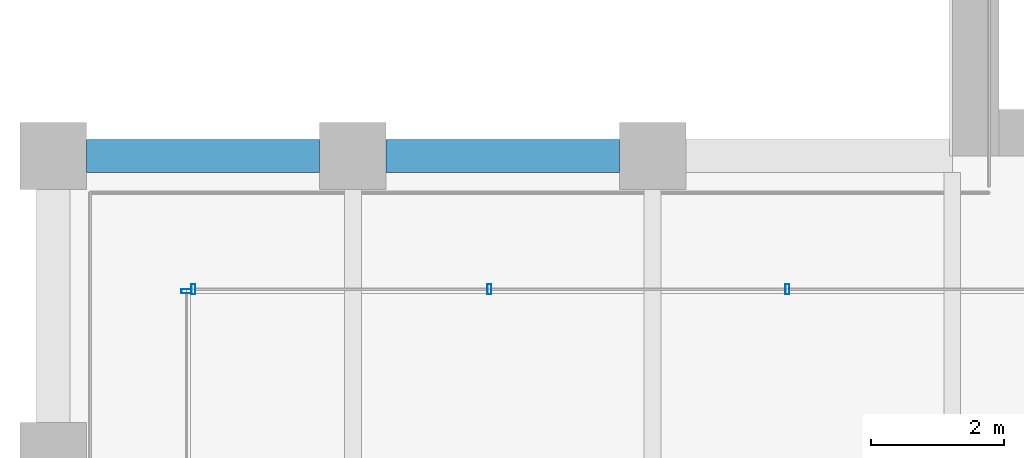
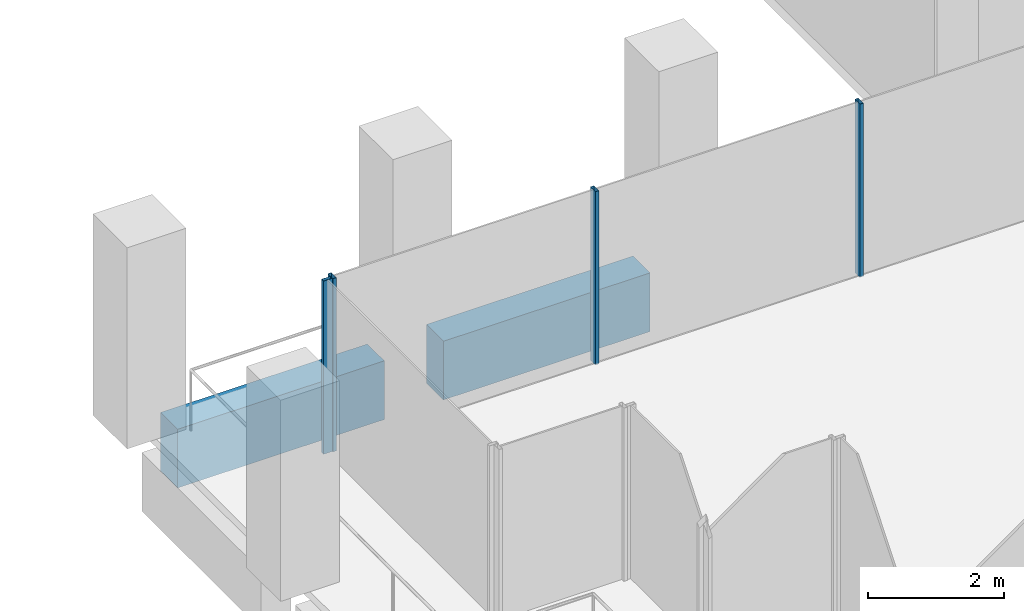
# One storey, part 5 of 47: 4 members, 2 beams, 2 elements without a shape of their own.
"""IFC4 building model written with IfcOpenShell, lengths in metres."""

import ifcopenshell
import ifcopenshell.guid

model = None  # the IFC model being written
_history = None  # IfcOwnerHistory: only IFC2X3 demands one
_inside = {}  # id of a spatial element -> (the spatial element, [elements in it])
_under = {}  # id of a project, library or spatial element -> (it, [spatial elements below it])
_declared = {}  # id of a project -> (the project, [libraries it declares])
_typed = {}  # id of a type object -> (the type object, [elements of that type])
_made_of = {}  # id of a material, layer set ... -> (it, [elements and type objects made of it])


def new_model(schema):
    """Start an empty IFC model of exactly this schema.

    Asked for "IFC4X3", IfcOpenShell would pick the latest addendum, in which some entities
    have other attributes; the version numbers below select the first issue.
    IFC2X3 requires an IfcOwnerHistory on every rooted entity: one is made here for all.
    """
    global model, _history
    if schema == "IFC4X3":
        model = ifcopenshell.file(schema_version=(4, 3, 0, 0))
    else:
        model = ifcopenshell.file(schema=schema)
    _inside.clear()
    _under.clear()
    _declared.clear()
    _typed.clear()
    _made_of.clear()
    _history = None
    if model.schema == "IFC2X3":
        org = make("IfcOrganization", Name="unknown")
        user = make(
            "IfcPersonAndOrganization",
            ThePerson=make("IfcPerson", FamilyName="unknown"),
            TheOrganization=org,
        )
        app = make(
            "IfcApplication",
            ApplicationDeveloper=org,
            Version="unknown",
            ApplicationFullName="unknown",
            ApplicationIdentifier="unknown",
        )
        _history = make(
            "IfcOwnerHistory",
            OwningUser=user,
            OwningApplication=app,
            ChangeAction="ADDED",
            CreationDate=0,
        )
    return model


def make(cls, **values):
    """One entity of the class cls with the attributes given. An attribute that is None is left unset."""
    return model.create_entity(
        cls, **{name: value for name, value in values.items() if value is not None}
    )


def rooted(cls, **values):
    """An entity with a GlobalId (a new one), such as an element, a storey or a relation."""
    return make(cls, GlobalId=ifcopenshell.guid.new(), OwnerHistory=_history, **values)


def si_unit(unit_type, name, prefix=None):
    """IfcSIUnit, for example si_unit("LENGTHUNIT", "METRE", prefix="MILLI")."""
    return make("IfcSIUnit", UnitType=unit_type, Prefix=prefix, Name=name)


def assignment(units):
    """IfcUnitAssignment: the units of a project."""
    return None if units is None else make("IfcUnitAssignment", Units=units)


def point(xyz):
    """IfcCartesianPoint."""
    return None if xyz is None else make("IfcCartesianPoint", Coordinates=xyz)


def direction(xyz):
    """IfcDirection."""
    return None if xyz is None else make("IfcDirection", DirectionRatios=xyz)


def frame(location, z_axis=None, x_axis=None):
    """IfcAxis2Placement3D, a coordinate frame: its origin and axes. An axis left out is left unset."""
    return make(
        "IfcAxis2Placement3D",
        Location=point(location),
        Axis=direction(z_axis),
        RefDirection=direction(x_axis),
    )


def frame_2d(location, x_axis=None):
    """IfcAxis2Placement2D, a coordinate frame in the plane: its origin and x axis."""
    return make(
        "IfcAxis2Placement2D", Location=point(location), RefDirection=direction(x_axis)
    )


def origin():
    """The frame at (0, 0, 0) with its axes left unset."""
    return frame((0.0, 0.0, 0.0))


def origin_2d():
    """The frame at (0, 0) in the plane with its x axis left unset."""
    return frame_2d((0.0, 0.0))


def place(relative_to, where):
    """IfcLocalPlacement: puts the frame where relative to a parent placement (None: the world)."""
    return make(
        "IfcLocalPlacement", PlacementRelTo=relative_to, RelativePlacement=where
    )


def context(
    kind, dimensions, precision=None, world=None, true_north=None, identifier=None
):
    """IfcGeometricRepresentationContext, for example the 3D "Model" context."""
    return make(
        "IfcGeometricRepresentationContext",
        ContextIdentifier=identifier,
        ContextType=kind,
        CoordinateSpaceDimension=dimensions,
        Precision=precision,
        WorldCoordinateSystem=world,
        TrueNorth=true_north,
    )


def subcontext(parent, identifier, kind, view, scale=None):
    """IfcGeometricRepresentationSubContext, for example "Body" below "Model"."""
    return make(
        "IfcGeometricRepresentationSubContext",
        ContextIdentifier=identifier,
        ContextType=kind,
        ParentContext=parent,
        TargetScale=scale,
        TargetView=view,
    )


def project(units=None, contexts=None):
    """IfcProject with its units and contexts."""
    return rooted(
        "IfcProject",
        Name="project",
        RepresentationContexts=contexts,
        UnitsInContext=assignment(units),
    )


def spatial(cls, under=None, at=None, **own):
    """A site, building, storey or space (cls), placed at a placement, below another one or the project."""
    s = rooted(cls, ObjectPlacement=at, **own)
    if under is not None:
        _under.setdefault(under.id(), (under, []))[1].append(s)
    return s


def profile(cls, at=None, kind="AREA", **sizes):
    """A parametric profile (cls). Its sizes go by their IFC names, for example OverallWidth=200.0."""
    return make(cls, ProfileType=kind, Position=at, **sizes)


def rectangle(**sizes):
    """IfcRectangleProfileDef."""
    return profile("IfcRectangleProfileDef", **sizes)


def hollow_rectangle(**sizes):
    """IfcRectangleHollowProfileDef."""
    return profile("IfcRectangleHollowProfileDef", **sizes)


def extrude(swept, where, along, depth):
    """IfcExtrudedAreaSolid: the profile swept, set in the frame where, extruded along a direction by depth."""
    return make(
        "IfcExtrudedAreaSolid",
        SweptArea=swept,
        Position=where,
        ExtrudedDirection=direction(along),
        Depth=depth,
    )


def shape(context_of_items, identifier, shape_type, items):
    """IfcShapeRepresentation: the items that make up one representation, for example the "Body"."""
    return make(
        "IfcShapeRepresentation",
        ContextOfItems=context_of_items,
        RepresentationIdentifier=identifier,
        RepresentationType=shape_type,
        Items=items,
    )


def material(Name=None, Category=None):
    """IfcMaterial."""
    return make("IfcMaterial", Name=Name, Category=Category)


def material_profile(
    of_material, cross_section, Name=None, Category=None, Priority=None
):
    """IfcMaterialProfile: a cross section and its material."""
    return make(
        "IfcMaterialProfile",
        Name=Name,
        Material=of_material,
        Profile=cross_section,
        Priority=Priority,
        Category=Category,
    )


def profile_set(profiles, Name=None, composite=None):
    """IfcMaterialProfileSet."""
    return make(
        "IfcMaterialProfileSet",
        Name=Name,
        MaterialProfiles=profiles,
        CompositeProfile=composite,
    )


def made_of(thing, what):
    """Note that an element or type object is made of a material, layer set ...; save() writes the relation."""
    if what is not None:
        _made_of.setdefault(what.id(), (what, []))[1].append(thing)
    return thing


def type_object(cls, material=None, **own):
    """A type object (cls), such as IfcWallType, which elements share."""
    return made_of(rooted(cls, **own), material)


def element(
    cls,
    number,
    at=None,
    inside=None,
    cuts=None,
    type_object=None,
    material=None,
    context=None,
    identifier="Body",
    shape_type=None,
    held_by="IfcProductDefinitionShape",
    body=None,
    shapes=None,
    **own,
):
    """One element of the class cls, such as IfcWall. Its Tag is "e" and its number.

    at: its placement. inside: the storey or other place that contains it. cuts: it is an
    opening in that element (IfcRelVoidsElement). A single representation is given by context,
    identifier, shape_type and body (its items); several are given by shapes. held_by: the class
    of the entity that holds the representations. save() writes the other relations.
    """
    e = rooted(cls, Tag="e%d" % number, ObjectPlacement=at, **own)
    if body is not None:
        shapes = [shape(context, identifier, shape_type, body)]
    if shapes is not None:
        e.Representation = make(held_by, Representations=shapes)
    if inside is not None:
        _inside.setdefault(inside.id(), (inside, []))[1].append(e)
    if cuts is not None:
        rooted(
            "IfcRelVoidsElement", RelatingBuildingElement=cuts, RelatedOpeningElement=e
        )
    if type_object is not None:
        _typed.setdefault(type_object.id(), (type_object, []))[1].append(e)
    return made_of(e, material)


def aggregate(whole, parts):
    """IfcRelAggregates: a whole, such as a stair, and the parts it consists of."""
    return rooted("IfcRelAggregates", RelatingObject=whole, RelatedObjects=parts)


def save(model, path):
    """Write the relations noted so far, then the file.

    IfcRelAggregates (storeys below a building ...), IfcRelContainedInSpatialStructure (elements
    in a storey), IfcRelDefinesByType, IfcRelAssociatesMaterial and IfcRelDeclares: one each for
    every whole, place, type object, material and project.
    """
    for whole, parts in _under.values():
        aggregate(whole, parts)
    for where, things in _inside.values():
        rooted(
            "IfcRelContainedInSpatialStructure",
            RelatedElements=things,
            RelatingStructure=where,
        )
    for kind, things in _typed.values():
        rooted("IfcRelDefinesByType", RelatedObjects=things, RelatingType=kind)
    for what, things in _made_of.values():
        rooted("IfcRelAssociatesMaterial", RelatedObjects=things, RelatingMaterial=what)
    for by, libraries in _declared.values():
        rooted("IfcRelDeclares", RelatingContext=by, RelatedDefinitions=libraries)
    model.write(path)


model = new_model("IFC4")

# Units and contexts
model_context = context("Model", 3, precision=1e-05, world=origin(), true_north=direction((0.0, 1.0)))
body_context = subcontext(model_context, "Body", "Model", "MODEL_VIEW")
ifc_project = project(units=[si_unit("LENGTHUNIT", "METRE"), si_unit("AREAUNIT", "SQUARE_METRE"), si_unit("VOLUMEUNIT", "CUBIC_METRE"), si_unit("PLANEANGLEUNIT", "RADIAN"), si_unit("MASSUNIT", "GRAM", prefix="KILO")], contexts=[model_context])

# Site, building, storey
site_placement = place(None, origin())
site = spatial("IfcSite", under=ifc_project, at=site_placement, CompositionType="ELEMENT")
building_placement = place(site_placement, origin())
building = spatial("IfcBuilding", under=site, at=building_placement, Name="Altepetl Exchange Towers", CompositionType="ELEMENT")
storey_placement = place(building_placement, frame((0.0, 0.0, 95.60009765625)))
storey = spatial("IfcBuildingStorey", under=building, at=storey_placement, Name="L23", CompositionType="ELEMENT", Elevation=95.60009765625)

# Curtain wall, members
ifc_material_1 = material(Name="Aluminium 6063-T6 glazing", Category="aluminium")
curtain_wall_type = type_object("IfcCurtainWallType", Name="Loggia glazing system", PredefinedType="NOTDEFINED", material=ifc_material_1)
curtain_wall_1_placement = place(storey_placement, origin())
curtain_wall_1 = element("IfcCurtainWall", 1, at=curtain_wall_1_placement, inside=storey, type_object=curtain_wall_type, Name="CW1 run", PredefinedType="NOTDEFINED")
ifc_material_2 = material(Name="Aluminium 6063-T6", Category="aluminium")
ifc_material_profile_1 = material_profile(ifc_material_2, hollow_rectangle(XDim=0.06005859375, YDim=0.14990234375, WallThickness=0.0029296875, at=origin_2d()), Name="Mullion 60x150 aluminium")
ifc_profile_set_1 = profile_set([ifc_material_profile_1], Name="Aluminium 6063-T6")
member_type = type_object("IfcMemberType", Name="Mullion 60x150 aluminium", PredefinedType="MULLION", material=ifc_profile_set_1)
member_1_placement = place(storey_placement, frame((38.02490234375, 38.5, 0.0), z_axis=(0.0, 0.0, 1.0), x_axis=(-1.0, 0.0, 0.0)))
member_1 = element("IfcMember", 2, at=member_1_placement, type_object=member_type, Name="MU1 mullion", PredefinedType="MULLION", context=body_context, shape_type="SweptSolid", body=[
    extrude(hollow_rectangle(XDim=0.06005859375, YDim=0.14990234375, WallThickness=0.0029296875, at=origin_2d()), origin(), (0.0, 0.0, 1.0), 3.099853515625),
])
member_2_placement = place(storey_placement, frame((33.550048828125, 38.5, 0.0), z_axis=(0.0, 0.0, 1.0), x_axis=(-1.0, 0.0, 0.0)))
member_2 = element("IfcMember", 3, at=member_2_placement, type_object=member_type, Name="MU1 mullion", PredefinedType="MULLION", context=body_context, shape_type="SweptSolid", body=[
    extrude(hollow_rectangle(XDim=0.06005859375, YDim=0.14990234375, WallThickness=0.0029296875, at=origin_2d()), origin(), (0.0, 0.0, 1.0), 3.099853515625),
])
member_3_placement = place(storey_placement, frame((29.10498046875, 38.5, 0.0), z_axis=(0.0, 0.0, 1.0), x_axis=(-1.0, 0.0, 0.0)))
member_3 = element("IfcMember", 4, at=member_3_placement, type_object=member_type, Name="MU1 mullion", PredefinedType="MULLION", context=body_context, shape_type="SweptSolid", body=[
    extrude(hollow_rectangle(XDim=0.06005859375, YDim=0.14990234375, WallThickness=0.0029296875, at=origin_2d()), origin(), (0.0, 0.0, 1.0), 3.099853515625),
])
aggregate(curtain_wall_1, [member_1, member_2, member_3])

# Curtain wall, member
curtain_wall_2_placement = place(storey_placement, origin())
curtain_wall_2 = element("IfcCurtainWall", 5, at=curtain_wall_2_placement, inside=storey, type_object=curtain_wall_type, Name="CW1 run", PredefinedType="NOTDEFINED")
member_4_placement = place(storey_placement, frame((29.0, 38.469970703125, 0.0), z_axis=(0.0, 0.0, 1.0), x_axis=(0.0, -1.0, 0.0)))
member_4 = element("IfcMember", 6, at=member_4_placement, type_object=member_type, Name="MU1 mullion", PredefinedType="MULLION", context=body_context, shape_type="SweptSolid", body=[
    extrude(hollow_rectangle(XDim=0.06005859375, YDim=0.14990234375, WallThickness=0.0029296875, at=origin_2d()), origin(), (0.0, 0.0, 1.0), 3.099853515625),
])
aggregate(curtain_wall_2, [member_4])

# Beams
ifc_material_3 = material(Name="Concrete C50/60 precast with tezontle facing", Category="concrete")
ifc_material_profile_2 = material_profile(ifc_material_3, rectangle(XDim=0.5, YDim=1.050048828125, at=origin_2d()), Name="500 x 1050")
ifc_profile_set_2 = profile_set([ifc_material_profile_2], Name="Concrete C50/60 precast with tezontle facing")
beam_type = type_object("IfcBeamType", Name="Spandrel beam 500x1050 tezontle", PredefinedType="SPANDREL", material=ifc_profile_set_2)
for number, where, z_axis, x_axis, name in (
    (7, (35.5, 40.5, -0.675048828125), (-1.0, 0.0, 0.0), (0.0, -1.0, 0.0), "sp:A:L23:034"),
    (8, (31.0, 40.5, -0.675048828125), (-1.0, 0.0, 0.0), (0.0, -1.0, 0.0), "sp:A:L23:035"),
):
    element("IfcBeam", number, at=place(storey_placement, frame(where, z_axis=z_axis, x_axis=x_axis)), inside=storey, type_object=beam_type, Name=name, PredefinedType="SPANDREL", context=body_context, shape_type="SweptSolid", body=[
        extrude(rectangle(XDim=0.5, YDim=1.050048828125, at=origin_2d()), origin(), (0.0, 0.0, 1.0), 3.5),
    ])

save(model, "model.ifc")
